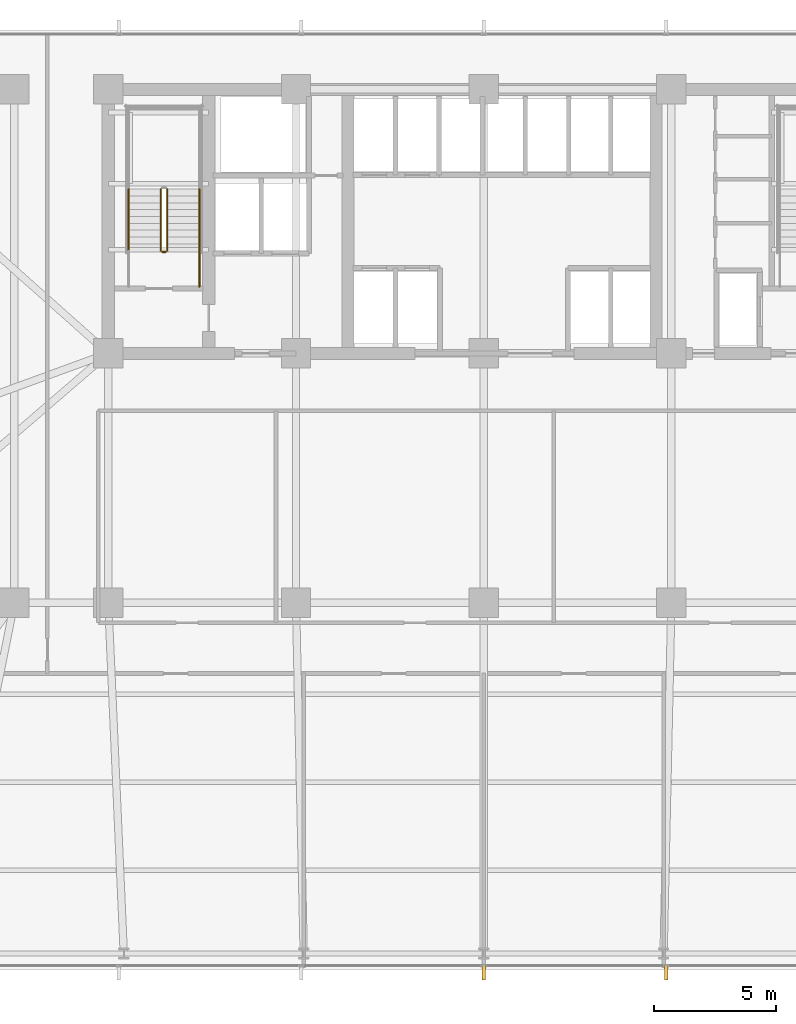
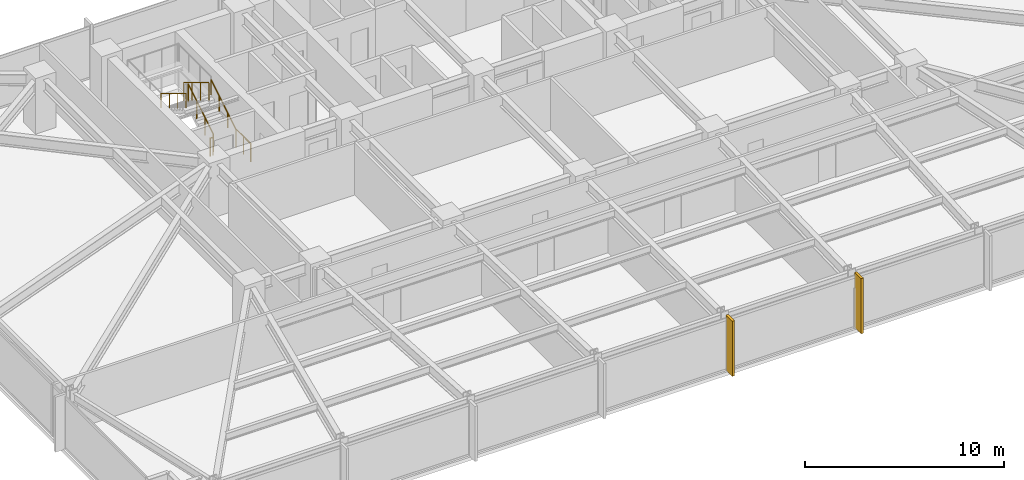
# One storey, part 28 of 32: 6 railings, 2 shading devices.
"""IFC4 building model written with IfcOpenShell, lengths in metres."""

from ifc_helpers import new_model, si_unit, direction, frame, origin, origin_2d, place, context, subcontext, project, spatial, rectangle, circle, extrude, material, layer, layer_set, type_object, element, save


model = new_model("IFC4")

# Units and contexts
model_context = context("Model", 3, precision=1e-05, world=origin(), true_north=direction((0.0, 1.0)))
body_context = subcontext(model_context, "Body", "Model", "MODEL_VIEW")
ifc_project = project(units=[si_unit("LENGTHUNIT", "METRE"), si_unit("AREAUNIT", "SQUARE_METRE"), si_unit("VOLUMEUNIT", "CUBIC_METRE"), si_unit("PLANEANGLEUNIT", "RADIAN"), si_unit("MASSUNIT", "GRAM", prefix="KILO")], contexts=[model_context])

# Site, building, storey
site_placement = place(None, origin())
site = spatial("IfcSite", under=ifc_project, at=site_placement, CompositionType="ELEMENT")
building_placement = place(site_placement, origin())
building = spatial("IfcBuilding", under=site, at=building_placement, Name="Yelkora Congress Tower", CompositionType="ELEMENT")
storey_placement = place(building_placement, frame((0.0, 0.0, 50.800048828125)))
storey = spatial("IfcBuildingStorey", under=building, at=storey_placement, Name="L12", CompositionType="ELEMENT", Elevation=50.800048828125)

# Railings
ifc_material_1 = material(Name="Painted galvanised steel stair well guard with vertical infill", Category="steel")
ifc_layer_1 = layer(ifc_material_1, 0.06005859375)
ifc_layer_set_1 = layer_set([ifc_layer_1], Name="Painted galvanised steel stair well guard with vertical infill")
railing_type_1 = type_object("IfcRailingType", Name="RAIL-STAIR-GUARD-1120", PredefinedType="GUARDRAIL", material=ifc_layer_set_1)
railing_1_placement = place(storey_placement, frame((25.449951171875, 39.60009765625, 0.169921875)))
element("IfcRailing", 1, at=railing_1_placement, inside=storey, type_object=railing_type_1, Name="ST-01 L12 Stair Well Guardrail 1", PredefinedType="GUARDRAIL", context=body_context, shape_type="SweptSolid", body=[
    extrude(circle(Radius=0.02392578125, at=origin_2d()), frame((0.0, 0.0, 1.09619140625), z_axis=(0.0, 0.85478489116, 0.518982456201), x_axis=(-1.0, 0.0, 0.0)), (0.0, 0.0, 1.0), 2.9482421875),
    extrude(circle(Radius=0.02099609375, at=origin_2d()), origin(), (0.0, 0.0, 1.0), 1.072021484375),
    extrude(circle(Radius=0.02099609375, at=origin_2d()), frame((0.0, 0.840087890625, 0.510009765625)), (0.0, 0.0, 1.0), 1.072021484375),
    extrude(circle(Radius=0.02099609375, at=origin_2d()), frame((0.0, 1.679931640625, 1.02001953125)), (0.0, 0.0, 1.0), 1.072021484375),
    extrude(circle(Radius=0.02099609375, at=origin_2d()), frame((0.0, 2.52001953125, 1.530029296875)), (0.0, 0.0, 1.0), 1.072021484375),
])
railing_2_placement = place(storey_placement, frame((25.18994140625, 42.1201171875, 1.869873046875)))
element("IfcRailing", 2, at=railing_2_placement, inside=storey, type_object=railing_type_1, Name="ST-01 L12 Stair Well Guardrail 6", PredefinedType="GUARDRAIL", context=body_context, shape_type="SweptSolid", body=[
    extrude(circle(Radius=0.02392578125, at=origin_2d()), frame((0.0, 0.0, 1.09619140625), z_axis=(0.0, -0.85478489116, 0.518982456201), x_axis=(1.0, 0.0, 0.0)), (0.0, 0.0, 1.0), 2.9482421875),
    extrude(circle(Radius=0.02099609375, at=origin_2d()), origin(), (0.0, 0.0, 1.0), 1.072021484375),
    extrude(circle(Radius=0.02099609375, at=origin_2d()), frame((0.0, -0.840087890625, 0.510009765625)), (0.0, 0.0, 1.0), 1.072021484375),
    extrude(circle(Radius=0.02099609375, at=origin_2d()), frame((0.0, -1.679931640625, 1.02001953125)), (0.0, 0.0, 1.0), 1.072021484375),
    extrude(circle(Radius=0.02099609375, at=origin_2d()), frame((0.0, -2.52001953125, 1.530029296875)), (0.0, 0.0, 1.0), 1.072021484375),
])
railing_3_placement = place(storey_placement, frame((25.39990234375, 39.550048828125, 0.0)))
element("IfcRailing", 3, at=railing_3_placement, inside=storey, type_object=railing_type_1, Name="ST-01 L12 Stair Well Guardrail 7", PredefinedType="GUARDRAIL", context=body_context, shape_type="SweptSolid", body=[
    extrude(circle(Radius=0.02392578125, at=origin_2d()), frame((0.0, 0.0, 1.09619140625), z_axis=(-1.0, 0.0, 0.0), x_axis=(0.0, -1.0, 0.0)), (0.0, 0.0, 1.0), 0.159912109375),
    extrude(circle(Radius=0.02099609375, at=origin_2d()), origin(), (0.0, 0.0, 1.0), 1.072021484375),
    extrude(circle(Radius=0.02099609375, at=origin_2d()), frame((-0.159912109375, 0.0, 0.0)), (0.0, 0.0, 1.0), 1.072021484375),
])
railing_4_placement = place(storey_placement, frame((26.77001953125, 38.1201171875, 0.0)))
element("IfcRailing", 4, at=railing_4_placement, inside=storey, type_object=railing_type_1, Name="ST-01 L12 Stair Well Guardrail 8", PredefinedType="GUARDRAIL", context=body_context, shape_type="SweptSolid", body=[
    extrude(circle(Radius=0.02392578125, at=origin_2d()), frame((0.0, 0.0, 1.09619140625), z_axis=(0.0, 1.0, 0.0), x_axis=(-1.0, 0.0, 0.0)), (0.0, 0.0, 1.0), 1.47998046875),
    extrude(circle(Radius=0.02099609375, at=origin_2d()), origin(), (0.0, 0.0, 1.0), 1.072021484375),
    extrude(circle(Radius=0.02099609375, at=origin_2d()), frame((0.0, 0.739990234375, 0.0)), (0.0, 0.0, 1.0), 1.072021484375),
    extrude(circle(Radius=0.02099609375, at=origin_2d()), frame((0.0, 1.47998046875, 0.0)), (0.0, 0.0, 1.0), 1.072021484375),
])
ifc_material_2 = material(Name="Brushed stainless steel tubular handrail", Category="steel")
ifc_layer_2 = layer(ifc_material_2, 0.050048828125)
ifc_layer_set_2 = layer_set([ifc_layer_2], Name="Brushed stainless steel tubular handrail")
railing_type_2 = type_object("IfcRailingType", Name="RAIL-STAIR-HAND-920", PredefinedType="HANDRAIL", material=ifc_layer_set_2)
railing_5_placement = place(storey_placement, frame((26.77001953125, 39.60009765625, 0.169921875)))
element("IfcRailing", 5, at=railing_5_placement, inside=storey, type_object=railing_type_2, Name="ST-01 L12 Pitch Handrail 1", PredefinedType="HANDRAIL", context=body_context, shape_type="SweptSolid", body=[
    extrude(circle(Radius=0.02392578125, at=origin_2d()), frame((0.0, 0.0, 0.89599609375), z_axis=(0.0, 0.85478489116, 0.518982456201), x_axis=(-1.0, 0.0, 0.0)), (0.0, 0.0, 1.0), 2.9482421875),
    extrude(circle(Radius=0.02099609375, at=origin_2d()), origin(), (0.0, 0.0, 1.0), 0.871826171875),
    extrude(circle(Radius=0.02099609375, at=origin_2d()), frame((0.0, 0.840087890625, 0.510009765625)), (0.0, 0.0, 1.0), 0.871826171875),
    extrude(circle(Radius=0.02099609375, at=origin_2d()), frame((0.0, 1.679931640625, 1.02001953125)), (0.0, 0.0, 1.0), 0.871826171875),
    extrude(circle(Radius=0.02099609375, at=origin_2d()), frame((0.0, 2.52001953125, 1.530029296875)), (0.0, 0.0, 1.0), 0.871826171875),
])
railing_6_placement = place(storey_placement, frame((23.8701171875, 42.1201171875, 1.869873046875)))
element("IfcRailing", 6, at=railing_6_placement, inside=storey, type_object=railing_type_2, Name="ST-01 L12 Pitch Handrail 2", PredefinedType="HANDRAIL", context=body_context, shape_type="SweptSolid", body=[
    extrude(circle(Radius=0.02392578125, at=origin_2d()), frame((0.0, 0.0, 0.89599609375), z_axis=(0.0, -0.85478489116, 0.518982456201), x_axis=(1.0, 0.0, 0.0)), (0.0, 0.0, 1.0), 2.9482421875),
    extrude(circle(Radius=0.02099609375, at=origin_2d()), origin(), (0.0, 0.0, 1.0), 0.871826171875),
    extrude(circle(Radius=0.02099609375, at=origin_2d()), frame((0.0, -0.840087890625, 0.510009765625)), (0.0, 0.0, 1.0), 0.871826171875),
    extrude(circle(Radius=0.02099609375, at=origin_2d()), frame((0.0, -1.679931640625, 1.02001953125)), (0.0, 0.0, 1.0), 0.871826171875),
    extrude(circle(Radius=0.02099609375, at=origin_2d()), frame((0.0, -2.52001953125, 1.530029296875)), (0.0, 0.0, 1.0), 0.871826171875),
])

# Shading devices
ifc_material_3 = material(Name="Champagne anodised aluminium", Category="aluminium")
ifc_layer_3 = layer(ifc_material_3, 3.39990234375)
ifc_layer_set_3 = layer_set([ifc_layer_3], Name="Champagne anodised aluminium")
shading_device_type = type_object("IfcShadingDeviceType", Name="SHD-FIN-ALU-640", PredefinedType="USERDEFINED", material=ifc_layer_set_3)
for number, where, z_axis, x_axis, name in (
    (7, (45.864990234375, 10.080078125, -0.030029296875), (0.0, 0.0, 1.0), (-1.0, 0.0, 0.0), "L12 Vertical Anodised Solar Fin 20-3"),
    (8, (38.39990234375, 10.080078125, -0.030029296875), (0.0, 0.0, 1.0), (-1.0, 0.0, 0.0), "L12 Vertical Anodised Solar Fin 20-4"),
):
    element("IfcShadingDevice", number, at=place(storey_placement, frame(where, z_axis=z_axis, x_axis=x_axis)), inside=storey, type_object=shading_device_type, Name=name, ObjectType="FIN", PredefinedType="USERDEFINED", context=body_context, shape_type="SweptSolid", body=[
        extrude(rectangle(XDim=0.139892578125, YDim=0.639892578125, at=origin_2d()), origin(), (0.0, 0.0, 1.0), 3.3798828125),
    ])

save(model, "model.ifc")
